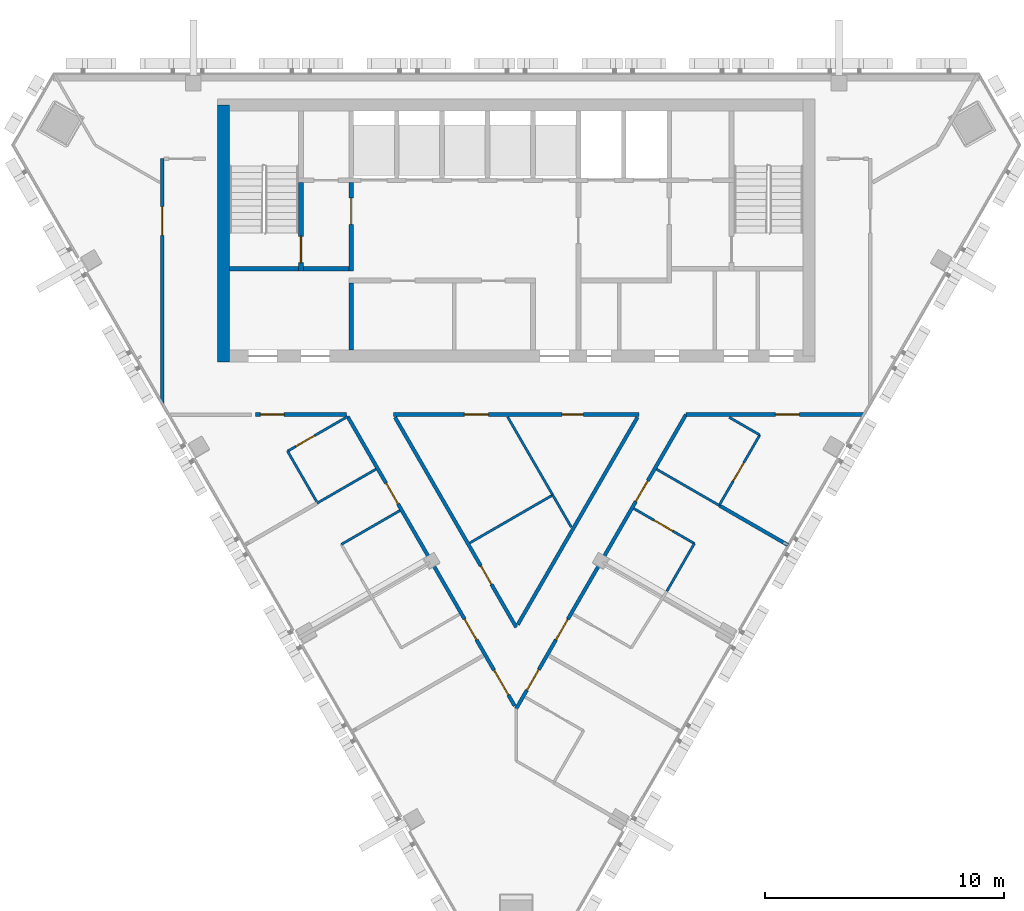
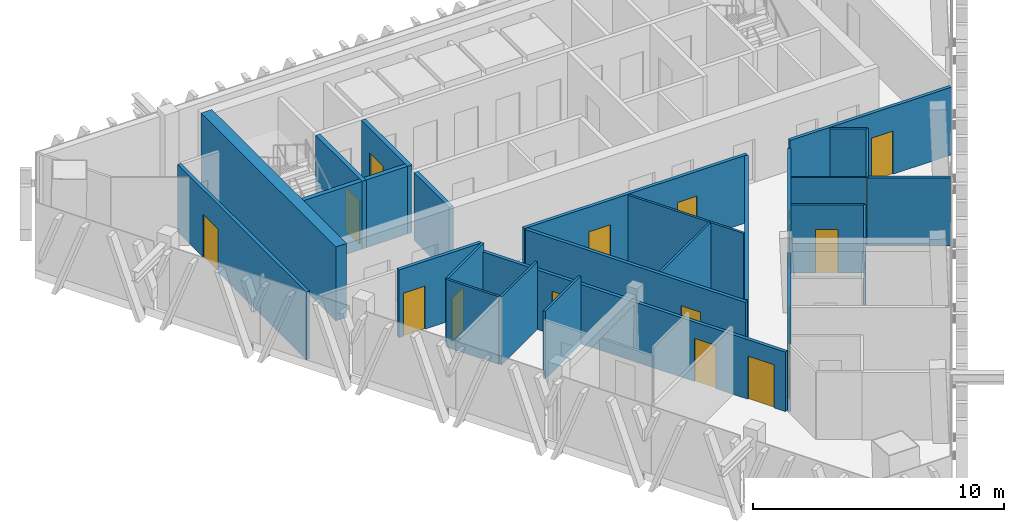
# One storey, part 6 of 12: 27 walls, 17 doors, 17 openings.
"""IFC4 building model written with IfcOpenShell, lengths in metres."""

import ifcopenshell
import ifcopenshell.guid

model = None  # the IFC model being written
_history = None  # IfcOwnerHistory: only IFC2X3 demands one
_inside = {}  # id of a spatial element -> (the spatial element, [elements in it])
_under = {}  # id of a project, library or spatial element -> (it, [spatial elements below it])
_declared = {}  # id of a project -> (the project, [libraries it declares])
_typed = {}  # id of a type object -> (the type object, [elements of that type])
_made_of = {}  # id of a material, layer set ... -> (it, [elements and type objects made of it])


def new_model(schema):
    """Start an empty IFC model of exactly this schema.

    Asked for "IFC4X3", IfcOpenShell would pick the latest addendum, in which some entities
    have other attributes; the version numbers below select the first issue.
    IFC2X3 requires an IfcOwnerHistory on every rooted entity: one is made here for all.
    """
    global model, _history
    if schema == "IFC4X3":
        model = ifcopenshell.file(schema_version=(4, 3, 0, 0))
    else:
        model = ifcopenshell.file(schema=schema)
    _inside.clear()
    _under.clear()
    _declared.clear()
    _typed.clear()
    _made_of.clear()
    _history = None
    if model.schema == "IFC2X3":
        org = make("IfcOrganization", Name="unknown")
        user = make(
            "IfcPersonAndOrganization",
            ThePerson=make("IfcPerson", FamilyName="unknown"),
            TheOrganization=org,
        )
        app = make(
            "IfcApplication",
            ApplicationDeveloper=org,
            Version="unknown",
            ApplicationFullName="unknown",
            ApplicationIdentifier="unknown",
        )
        _history = make(
            "IfcOwnerHistory",
            OwningUser=user,
            OwningApplication=app,
            ChangeAction="ADDED",
            CreationDate=0,
        )
    return model


def make(cls, **values):
    """One entity of the class cls with the attributes given. An attribute that is None is left unset."""
    return model.create_entity(
        cls, **{name: value for name, value in values.items() if value is not None}
    )


def rooted(cls, **values):
    """An entity with a GlobalId (a new one), such as an element, a storey or a relation."""
    return make(cls, GlobalId=ifcopenshell.guid.new(), OwnerHistory=_history, **values)


def si_unit(unit_type, name, prefix=None):
    """IfcSIUnit, for example si_unit("LENGTHUNIT", "METRE", prefix="MILLI")."""
    return make("IfcSIUnit", UnitType=unit_type, Prefix=prefix, Name=name)


def assignment(units):
    """IfcUnitAssignment: the units of a project."""
    return None if units is None else make("IfcUnitAssignment", Units=units)


def point(xyz):
    """IfcCartesianPoint."""
    return None if xyz is None else make("IfcCartesianPoint", Coordinates=xyz)


def direction(xyz):
    """IfcDirection."""
    return None if xyz is None else make("IfcDirection", DirectionRatios=xyz)


def frame(location, z_axis=None, x_axis=None):
    """IfcAxis2Placement3D, a coordinate frame: its origin and axes. An axis left out is left unset."""
    return make(
        "IfcAxis2Placement3D",
        Location=point(location),
        Axis=direction(z_axis),
        RefDirection=direction(x_axis),
    )


def frame_2d(location, x_axis=None):
    """IfcAxis2Placement2D, a coordinate frame in the plane: its origin and x axis."""
    return make(
        "IfcAxis2Placement2D", Location=point(location), RefDirection=direction(x_axis)
    )


def origin():
    """The frame at (0, 0, 0) with its axes left unset."""
    return frame((0.0, 0.0, 0.0))


def place(relative_to, where):
    """IfcLocalPlacement: puts the frame where relative to a parent placement (None: the world)."""
    return make(
        "IfcLocalPlacement", PlacementRelTo=relative_to, RelativePlacement=where
    )


def context(
    kind, dimensions, precision=None, world=None, true_north=None, identifier=None
):
    """IfcGeometricRepresentationContext, for example the 3D "Model" context."""
    return make(
        "IfcGeometricRepresentationContext",
        ContextIdentifier=identifier,
        ContextType=kind,
        CoordinateSpaceDimension=dimensions,
        Precision=precision,
        WorldCoordinateSystem=world,
        TrueNorth=true_north,
    )


def subcontext(parent, identifier, kind, view, scale=None):
    """IfcGeometricRepresentationSubContext, for example "Body" below "Model"."""
    return make(
        "IfcGeometricRepresentationSubContext",
        ContextIdentifier=identifier,
        ContextType=kind,
        ParentContext=parent,
        TargetScale=scale,
        TargetView=view,
    )


def project(units=None, contexts=None):
    """IfcProject with its units and contexts."""
    return rooted(
        "IfcProject",
        Name="project",
        RepresentationContexts=contexts,
        UnitsInContext=assignment(units),
    )


def spatial(cls, under=None, at=None, **own):
    """A site, building, storey or space (cls), placed at a placement, below another one or the project."""
    s = rooted(cls, ObjectPlacement=at, **own)
    if under is not None:
        _under.setdefault(under.id(), (under, []))[1].append(s)
    return s


def profile(cls, at=None, kind="AREA", **sizes):
    """A parametric profile (cls). Its sizes go by their IFC names, for example OverallWidth=200.0."""
    return make(cls, ProfileType=kind, Position=at, **sizes)


def rectangle(**sizes):
    """IfcRectangleProfileDef."""
    return profile("IfcRectangleProfileDef", **sizes)


def extrude(swept, where, along, depth):
    """IfcExtrudedAreaSolid: the profile swept, set in the frame where, extruded along a direction by depth."""
    return make(
        "IfcExtrudedAreaSolid",
        SweptArea=swept,
        Position=where,
        ExtrudedDirection=direction(along),
        Depth=depth,
    )


def shape(context_of_items, identifier, shape_type, items):
    """IfcShapeRepresentation: the items that make up one representation, for example the "Body"."""
    return make(
        "IfcShapeRepresentation",
        ContextOfItems=context_of_items,
        RepresentationIdentifier=identifier,
        RepresentationType=shape_type,
        Items=items,
    )


def material(Name=None, Category=None):
    """IfcMaterial."""
    return make("IfcMaterial", Name=Name, Category=Category)


def layer(
    of_material, thickness, ventilated=None, Name=None, Category=None, Priority=None
):
    """IfcMaterialLayer: one layer of a wall or slab, of a material (None: an air gap)."""
    return make(
        "IfcMaterialLayer",
        Material=of_material,
        LayerThickness=thickness,
        IsVentilated=ventilated,
        Name=Name,
        Category=Category,
        Priority=Priority,
    )


def layer_set(layers, Name=None):
    """IfcMaterialLayerSet."""
    return make("IfcMaterialLayerSet", MaterialLayers=layers, LayerSetName=Name)


def made_of(thing, what):
    """Note that an element or type object is made of a material, layer set ...; save() writes the relation."""
    if what is not None:
        _made_of.setdefault(what.id(), (what, []))[1].append(thing)
    return thing


def type_object(cls, material=None, **own):
    """A type object (cls), such as IfcWallType, which elements share."""
    return made_of(rooted(cls, **own), material)


def element(
    cls,
    number,
    at=None,
    inside=None,
    cuts=None,
    type_object=None,
    material=None,
    context=None,
    identifier="Body",
    shape_type=None,
    held_by="IfcProductDefinitionShape",
    body=None,
    shapes=None,
    **own,
):
    """One element of the class cls, such as IfcWall. Its Tag is "e" and its number.

    at: its placement. inside: the storey or other place that contains it. cuts: it is an
    opening in that element (IfcRelVoidsElement). A single representation is given by context,
    identifier, shape_type and body (its items); several are given by shapes. held_by: the class
    of the entity that holds the representations. save() writes the other relations.
    """
    e = rooted(cls, Tag="e%d" % number, ObjectPlacement=at, **own)
    if body is not None:
        shapes = [shape(context, identifier, shape_type, body)]
    if shapes is not None:
        e.Representation = make(held_by, Representations=shapes)
    if inside is not None:
        _inside.setdefault(inside.id(), (inside, []))[1].append(e)
    if cuts is not None:
        rooted(
            "IfcRelVoidsElement", RelatingBuildingElement=cuts, RelatedOpeningElement=e
        )
    if type_object is not None:
        _typed.setdefault(type_object.id(), (type_object, []))[1].append(e)
    return made_of(e, material)


def fill(opening, filler):
    """IfcRelFillsElement: the door or window that sits in an opening."""
    return rooted(
        "IfcRelFillsElement",
        RelatingOpeningElement=opening,
        RelatedBuildingElement=filler,
    )


def aggregate(whole, parts):
    """IfcRelAggregates: a whole, such as a stair, and the parts it consists of."""
    return rooted("IfcRelAggregates", RelatingObject=whole, RelatedObjects=parts)


def save(model, path):
    """Write the relations noted so far, then the file.

    IfcRelAggregates (storeys below a building ...), IfcRelContainedInSpatialStructure (elements
    in a storey), IfcRelDefinesByType, IfcRelAssociatesMaterial and IfcRelDeclares: one each for
    every whole, place, type object, material and project.
    """
    for whole, parts in _under.values():
        aggregate(whole, parts)
    for where, things in _inside.values():
        rooted(
            "IfcRelContainedInSpatialStructure",
            RelatedElements=things,
            RelatingStructure=where,
        )
    for kind, things in _typed.values():
        rooted("IfcRelDefinesByType", RelatedObjects=things, RelatingType=kind)
    for what, things in _made_of.values():
        rooted("IfcRelAssociatesMaterial", RelatedObjects=things, RelatingMaterial=what)
    for by, libraries in _declared.values():
        rooted("IfcRelDeclares", RelatingContext=by, RelatedDefinitions=libraries)
    model.write(path)


model = new_model("IFC4")

# Units and contexts
model_context = context("Model", 3, precision=1e-05, world=origin(), true_north=direction((0.0, 1.0)))
body_context = subcontext(model_context, "Body", "Model", "MODEL_VIEW")
ifc_project = project(units=[si_unit("LENGTHUNIT", "METRE"), si_unit("AREAUNIT", "SQUARE_METRE"), si_unit("VOLUMEUNIT", "CUBIC_METRE"), si_unit("PLANEANGLEUNIT", "RADIAN"), si_unit("MASSUNIT", "GRAM", prefix="KILO")], contexts=[model_context])

# Site, building, storey
site_placement = place(None, origin())
site = spatial("IfcSite", under=ifc_project, at=site_placement, CompositionType="ELEMENT")
building_placement = place(site_placement, origin())
building = spatial("IfcBuilding", under=site, at=building_placement, Name="Altiplano Prism Tower", CompositionType="ELEMENT")
storey_placement = place(building_placement, frame((0.0, 0.0, 331.0)))
storey = spatial("IfcBuildingStorey", under=building, at=storey_placement, Name="L86", CompositionType="ELEMENT", Elevation=331.0)

# Walls
ifc_material_1 = material(Name="Concrete C60/75", Category="concrete")
ifc_layer_1 = layer(ifc_material_1, 0.5)
ifc_layer_set_1 = layer_set([ifc_layer_1], Name="Concrete C60/75")
wall_type_1 = type_object("IfcWallType", Name="Core wall 500", PredefinedType="SHEAR", material=ifc_layer_set_1)
wall_1_placement = place(storey_placement, frame((72.75, 103.64990234375, 0.0), z_axis=(0.0, 0.0, 1.0), x_axis=(0.0, -1.0, 0.0)))
element("IfcWall", 1, at=wall_1_placement, inside=storey, type_object=wall_type_1, Name="Core wall W L86", PredefinedType="SHEAR", context=body_context, shape_type="SweptSolid", body=[
    extrude(rectangle(XDim=10.75, YDim=0.5, at=frame_2d((5.375, 0.0))), origin(), (0.0, 0.0, 1.0), 3.60009765625),
])
ifc_material_2 = material(Name="Plasterboard on steel stud", Category="steel")
ifc_layer_2 = layer(ifc_material_2, 0.10009765625)
ifc_layer_set_2 = layer_set([ifc_layer_2], Name="Plasterboard on steel stud")
wall_type_2 = type_object("IfcWallType", Name="Partition 100 unit", PredefinedType="PARTITIONING", material=ifc_layer_set_2)
wall_2_placement = place(storey_placement, frame((76.6484375, 87.064453125, 0.0), z_axis=(0.0, 0.0, 1.0), x_axis=(-0.500047793048, 0.865997808697, 0.0)))
element("IfcWall", 2, at=wall_2_placement, inside=storey, type_object=wall_type_2, Name="Partition P02 L86 018", PredefinedType="PARTITIONING", context=body_context, shape_type="SweptSolid", body=[
    extrude(rectangle(XDim=2.425048828125, YDim=0.10009765625, at=frame_2d((1.21240234375, 0.0))), origin(), (0.0, 0.0, 1.0), 3.300048828125),
])

# Wall, opening, door
wall_3_placement = place(storey_placement, frame((75.435791015625, 89.16455078125, 0.0), z_axis=(0.0, 0.0, 1.0), x_axis=(0.866032775405, 0.499987231761, 0.0)))
wall_3 = element("IfcWall", 3, at=wall_3_placement, inside=storey, type_object=wall_type_2, Name="Partition P02 L86 019", PredefinedType="PARTITIONING", context=body_context, shape_type="SweptSolid", body=[
    extrude(rectangle(XDim=2.89990234375, YDim=0.10009765625, at=frame_2d((1.449951171875, 0.0))), origin(), (0.0, 0.0, 1.0), 3.300048828125),
])
opening_1_placement = place(wall_3_placement, frame((0.39990234375, 0.0, 0.0)))
opening_1 = element("IfcOpeningElement", 4, at=opening_1_placement, cuts=wall_3, Name="Opening D2488", PredefinedType="OPENING", context=body_context, shape_type="SweptSolid", body=[
    extrude(rectangle(XDim=0.89990234375, YDim=2.10009765625, at=frame_2d((0.449951171875, 1.050048828125))), frame((0.0, 0.060546875, 0.0), z_axis=(0.0, -1.0, 0.0), x_axis=(1.0, 0.0, 0.0)), (0.0, 0.0, 1.0), 0.12109375),
])
ifc_material_3 = material(Name="Timber", Category="wood")
door_type_1 = type_object("IfcDoorType", Name="Ensuite door 900 x 2100", OperationType="NOTDEFINED", PredefinedType="NOTDEFINED", material=ifc_material_3)
door_1_placement = place(opening_1_placement, origin())
door_1 = element("IfcDoor", 5, at=door_1_placement, inside=storey, type_object=door_type_1, Name="Door D2488", OperationType="SINGLE_SWING_RIGHT", OverallHeight=2.10009765625, OverallWidth=0.89990234375, PredefinedType="NOTDEFINED", context=body_context, shape_type="SweptSolid", body=[
    extrude(rectangle(XDim=0.89990234375, YDim=2.10009765625, at=frame_2d((0.449951171875, 1.050048828125))), frame((0.0, 0.02490234375, 0.0), z_axis=(0.0, -1.0, 0.0), x_axis=(1.0, 0.0, 0.0)), (0.0, 0.0, 1.0), 0.050048828125),
])
fill(opening_1, door_1)

# Wall
wall_4_placement = place(storey_placement, frame((77.685791015625, 85.267333984375, 0.0), z_axis=(0.0, 0.0, 1.0), x_axis=(0.866011447264, 0.500024172624, 0.0)))
element("IfcWall", 6, at=wall_4_placement, inside=storey, type_object=wall_type_2, Name="Partition P02 L86 023", PredefinedType="PARTITIONING", context=body_context, shape_type="SweptSolid", body=[
    extrude(rectangle(XDim=2.824951171875, YDim=0.10009765625, at=frame_2d((1.41259765625, 0.0))), origin(), (0.0, 0.0, 1.0), 3.300048828125),
])

# Wall, opening, door
wall_5_placement = place(storey_placement, frame((89.917724609375, 86.7666015625, 0.0), z_axis=(0.0, 0.0, 1.0), x_axis=(0.865989585315, -0.500062034277, 0.0)))
wall_5 = element("IfcWall", 7, at=wall_5_placement, inside=storey, type_object=wall_type_2, Name="Partition P02 L86 038", PredefinedType="PARTITIONING", context=body_context, shape_type="SweptSolid", body=[
    extrude(rectangle(XDim=2.925048828125, YDim=0.10009765625, at=frame_2d((1.46240234375, 0.0))), origin(), (0.0, 0.0, 1.0), 3.300048828125),
])
opening_2_placement = place(wall_5_placement, frame((0.97509765625, 0.0, 0.0)))
opening_2 = element("IfcOpeningElement", 8, at=opening_2_placement, cuts=wall_5, Name="Opening D2499", PredefinedType="OPENING", context=body_context, shape_type="SweptSolid", body=[
    extrude(rectangle(XDim=0.89990234375, YDim=2.10009765625, at=frame_2d((0.449951171875, 1.050048828125))), frame((0.0, 0.060546875, 0.0), z_axis=(0.0, -1.0, 0.0), x_axis=(1.0, 0.0, 0.0)), (0.0, 0.0, 1.0), 0.12109375),
])
door_2_placement = place(opening_2_placement, origin())
door_2 = element("IfcDoor", 9, at=door_2_placement, inside=storey, type_object=door_type_1, Name="Door D2499", OperationType="SINGLE_SWING_LEFT", OverallHeight=2.10009765625, OverallWidth=0.89990234375, PredefinedType="NOTDEFINED", context=body_context, shape_type="SweptSolid", body=[
    extrude(rectangle(XDim=0.89990234375, YDim=2.10009765625, at=frame_2d((0.449951171875, 1.050048828125))), frame((0.0, 0.02490234375, 0.0), z_axis=(0.0, -1.0, 0.0), x_axis=(1.0, 0.0, 0.0)), (0.0, 0.0, 1.0), 0.050048828125),
])
fill(opening_2, door_2)

# Walls
wall_6_placement = place(storey_placement, frame((92.45068359375, 85.303955078125, 0.0), z_axis=(0.0, 0.0, 1.0), x_axis=(-0.499998129301, -0.86602648383, 0.0)))
element("IfcWall", 10, at=wall_6_placement, inside=storey, type_object=wall_type_2, Name="Partition P02 L86 039", PredefinedType="PARTITIONING", context=body_context, shape_type="SweptSolid", body=[
    extrude(rectangle(XDim=2.2998046875, YDim=0.10009765625, at=frame_2d((1.14990234375, 0.0))), origin(), (0.0, 0.0, 1.0), 3.300048828125),
])
wall_7_placement = place(storey_placement, frame((93.909423828125, 90.581787109375, 0.0), z_axis=(0.0, 0.0, 1.0), x_axis=(0.866014750462, -0.500018451642, 0.0)))
element("IfcWall", 11, at=wall_7_placement, inside=storey, type_object=wall_type_2, Name="Partition P02 L86 042", PredefinedType="PARTITIONING", context=body_context, shape_type="SweptSolid", body=[
    extrude(rectangle(XDim=1.4755859375, YDim=0.10009765625, at=frame_2d((0.73779296875, 0.0))), origin(), (0.0, 0.0, 1.0), 3.300048828125),
])

# Wall, opening, door
wall_8_placement = place(storey_placement, frame((95.187255859375, 89.843994140625, 0.0), z_axis=(0.0, 0.0, 1.0), x_axis=(-0.499977295307, -0.866038511948, 0.0)))
wall_8 = element("IfcWall", 12, at=wall_8_placement, inside=storey, type_object=wall_type_2, Name="Partition P02 L86 043", PredefinedType="PARTITIONING", context=body_context, shape_type="SweptSolid", body=[
    extrude(rectangle(XDim=3.400146484375, YDim=0.10009765625, at=frame_2d((1.7001953125, 0.0))), origin(), (0.0, 0.0, 1.0), 3.300048828125),
])
opening_3_placement = place(wall_8_placement, frame((1.330078125, 0.0, 0.0)))
opening_3 = element("IfcOpeningElement", 13, at=opening_3_placement, cuts=wall_8, Name="Opening D2501", PredefinedType="OPENING", context=body_context, shape_type="SweptSolid", body=[
    extrude(rectangle(XDim=0.89990234375, YDim=2.10009765625, at=frame_2d((0.449951171875, 1.050048828125))), frame((0.0, 0.060546875, 0.0), z_axis=(0.0, -1.0, 0.0), x_axis=(1.0, 0.0, 0.0)), (0.0, 0.0, 1.0), 0.12109375),
])
door_3_placement = place(opening_3_placement, origin())
door_3 = element("IfcDoor", 14, at=door_3_placement, inside=storey, type_object=door_type_1, Name="Door D2501", OperationType="SINGLE_SWING_RIGHT", OverallHeight=2.10009765625, OverallWidth=0.89990234375, PredefinedType="NOTDEFINED", context=body_context, shape_type="SweptSolid", body=[
    extrude(rectangle(XDim=0.89990234375, YDim=2.10009765625, at=frame_2d((0.449951171875, 1.050048828125))), frame((0.0, 0.02490234375, 0.0), z_axis=(0.0, -1.0, 0.0), x_axis=(1.0, 0.0, 0.0)), (0.0, 0.0, 1.0), 0.050048828125),
])
fill(opening_3, door_3)

# Walls
ifc_layer_3 = layer(ifc_material_2, 0.10009765625)
ifc_layer_set_3 = layer_set([ifc_layer_3], Name="Plasterboard on steel stud")
wall_type_3 = type_object("IfcWallType", Name="Partition 100 wet", PredefinedType="PARTITIONING", material=ifc_layer_set_3)
wall_9_placement = place(storey_placement, frame((87.30224609375, 85.988525390625, 0.0), z_axis=(0.0, 0.0, 1.0), x_axis=(-0.499933207989, 0.866063962736, 0.0)))
element("IfcWall", 15, at=wall_9_placement, inside=storey, type_object=wall_type_3, Name="Partition P03 L86 013", PredefinedType="PARTITIONING", context=body_context, shape_type="SweptSolid", body=[
    extrude(rectangle(XDim=1.571044921875, YDim=0.10009765625, at=frame_2d((0.78564453125, 0.0))), origin(), (0.0, 0.0, 1.0), 3.300048828125),
])
wall_10_placement = place(storey_placement, frame((86.52685546875, 87.331787109375, 0.0), z_axis=(0.0, 0.0, 1.0), x_axis=(-0.866025502096, -0.499999829719, 0.0)))
element("IfcWall", 16, at=wall_10_placement, inside=storey, type_object=wall_type_3, Name="Partition P03 L86 014", PredefinedType="PARTITIONING", context=body_context, shape_type="SweptSolid", body=[
    extrude(rectangle(XDim=4.0126953125, YDim=0.10009765625, at=frame_2d((2.00634765625, 0.0))), origin(), (0.0, 0.0, 1.0), 3.300048828125),
])
wall_11_placement = place(storey_placement, frame((84.640380859375, 90.59912109375, 0.0), z_axis=(0.0, 0.0, 1.0), x_axis=(0.500015595758, -0.866016399382, 0.0)))
element("IfcWall", 17, at=wall_11_placement, inside=storey, type_object=wall_type_3, Name="Partition P03 L86 015", PredefinedType="PARTITIONING", context=body_context, shape_type="SweptSolid", body=[
    extrude(rectangle(XDim=3.77294921875, YDim=0.10009765625, at=frame_2d((1.886474609375, 0.0))), origin(), (0.0, 0.0, 1.0), 3.300048828125),
])
wall_12_placement = place(storey_placement, frame((76.66845703125, 86.989501953125, 0.0), z_axis=(0.0, 0.0, 1.0), x_axis=(0.866048401274, 0.499960165064, 0.0)))
element("IfcWall", 18, at=wall_12_placement, inside=storey, type_object=wall_type_3, Name="Partition P03 L86 021", PredefinedType="PARTITIONING", context=body_context, shape_type="SweptSolid", body=[
    extrude(rectangle(XDim=2.844970703125, YDim=0.10009765625, at=frame_2d((1.42236328125, 0.0))), origin(), (0.0, 0.0, 1.0), 3.300048828125),
])
wall_13_placement = place(storey_placement, frame((93.4873046875, 86.8994140625, 0.0), z_axis=(0.0, 0.0, 1.0), x_axis=(-0.866024298998, 0.500001913541, 0.0)))
element("IfcWall", 19, at=wall_13_placement, inside=storey, type_object=wall_type_3, Name="Partition P03 L86 041", PredefinedType="PARTITIONING", context=body_context, shape_type="SweptSolid", body=[
    extrude(rectangle(XDim=3.02490234375, YDim=0.10009765625, at=frame_2d((1.512451171875, 0.0))), origin(), (0.0, 0.0, 1.0), 3.300048828125),
])

# Wall, openings, doors
ifc_layer_4 = layer(ifc_material_2, 0.14990234375)
ifc_layer_set_4 = layer_set([ifc_layer_4], Name="Plasterboard on steel stud")
wall_type_4 = type_object("IfcWallType", Name="Partition 150 corridor", PredefinedType="PARTITIONING", material=ifc_layer_set_4)
wall_14_placement = place(storey_placement, frame((79.86279296875, 90.698974609375, 0.0), z_axis=(0.0, 0.0, 1.0), x_axis=(1.0, 0.0, 0.0)))
wall_14 = element("IfcWall", 20, at=wall_14_placement, inside=storey, type_object=wall_type_4, Name="Partition P06 L86 001", PredefinedType="PARTITIONING", context=body_context, shape_type="SweptSolid", body=[
    extrude(rectangle(XDim=10.2744140625, YDim=0.14990234375, at=frame_2d((5.13720703125, 0.0))), origin(), (0.0, 0.0, 1.0), 3.300048828125),
])
opening_4_placement = place(wall_14_placement, frame((7.047119140625, 0.0, 0.0)))
opening_4 = element("IfcOpeningElement", 21, at=opening_4_placement, cuts=wall_14, Name="Opening D2484", PredefinedType="OPENING", context=body_context, shape_type="SweptSolid", body=[
    extrude(rectangle(XDim=0.89990234375, YDim=2.10009765625, at=frame_2d((0.449951171875, 1.050048828125))), frame((0.0, 0.08544921875, 0.0), z_axis=(0.0, -1.0, 0.0), x_axis=(1.0, 0.0, 0.0)), (0.0, 0.0, 1.0), 0.1708984375),
])
opening_5_placement = place(wall_14_placement, frame((2.967041015625, 0.0, 0.0)))
opening_5 = element("IfcOpeningElement", 22, at=opening_5_placement, cuts=wall_14, Name="Opening D2485", PredefinedType="OPENING", context=body_context, shape_type="SweptSolid", body=[
    extrude(rectangle(XDim=1.0, YDim=2.10009765625, at=frame_2d((0.5, 1.050048828125))), frame((0.0, 0.08544921875, 0.0), z_axis=(0.0, -1.0, 0.0), x_axis=(1.0, 0.0, 0.0)), (0.0, 0.0, 1.0), 0.1708984375),
])
door_type_2 = type_object("IfcDoorType", Name="Store door 1000 x 2100", OperationType="NOTDEFINED", PredefinedType="NOTDEFINED", material=ifc_material_3)
door_4_placement = place(opening_5_placement, origin())
door_4 = element("IfcDoor", 23, at=door_4_placement, inside=storey, type_object=door_type_2, Name="Door D2485", OperationType="SINGLE_SWING_RIGHT", OverallHeight=2.10009765625, OverallWidth=1.0, PredefinedType="NOTDEFINED", context=body_context, shape_type="SweptSolid", body=[
    extrude(rectangle(XDim=1.0, YDim=2.10009765625, at=frame_2d((0.5, 1.050048828125))), frame((0.0, 0.02490234375, 0.0), z_axis=(0.0, -1.0, 0.0), x_axis=(1.0, 0.0, 0.0)), (0.0, 0.0, 1.0), 0.050048828125),
])
fill(opening_5, door_4)
door_type_3 = type_object("IfcDoorType", Name="Toilet door 900 x 2100", OperationType="NOTDEFINED", PredefinedType="NOTDEFINED", material=ifc_material_3)
door_5_placement = place(opening_4_placement, origin())
door_5 = element("IfcDoor", 24, at=door_5_placement, inside=storey, type_object=door_type_3, Name="Door D2484", OperationType="SINGLE_SWING_LEFT", OverallHeight=2.10009765625, OverallWidth=0.89990234375, PredefinedType="NOTDEFINED", context=body_context, shape_type="SweptSolid", body=[
    extrude(rectangle(XDim=0.89990234375, YDim=2.10009765625, at=frame_2d((0.449951171875, 1.050048828125))), frame((0.0, 0.02490234375, 0.0), z_axis=(0.0, -1.0, 0.0), x_axis=(1.0, 0.0, 0.0)), (0.0, 0.0, 1.0), 0.050048828125),
])
fill(opening_4, door_5)

# Wall
wall_15_placement = place(storey_placement, frame((90.072265625, 90.58642578125, 0.0), z_axis=(0.0, 0.0, 1.0), x_axis=(-0.499993265928, -0.866029291668, 0.0)))
element("IfcWall", 25, at=wall_15_placement, inside=storey, type_object=wall_type_4, Name="Partition P06 L86 002", PredefinedType="PARTITIONING", context=body_context, shape_type="SweptSolid", body=[
    extrude(rectangle(XDim=10.014892578125, YDim=0.14990234375, at=frame_2d((5.00732421875, 0.0))), origin(), (0.0, 0.0, 1.0), 3.300048828125),
])

# Wall, opening, door
wall_16_placement = place(storey_placement, frame((85.0, 81.80078125, 0.0), z_axis=(0.0, 0.0, 1.0), x_axis=(-0.499990491817, 0.866030893267, 0.0)))
wall_16 = element("IfcWall", 26, at=wall_16_placement, inside=storey, type_object=wall_type_4, Name="Partition P06 L86 003", PredefinedType="PARTITIONING", context=body_context, shape_type="SweptSolid", body=[
    extrude(rectangle(XDim=10.144775390625, YDim=0.14990234375, at=frame_2d((5.072265625, 0.0))), origin(), (0.0, 0.0, 1.0), 3.300048828125),
])
opening_6_placement = place(wall_16_placement, frame((2.072021484375, 0.0, 0.0)))
opening_6 = element("IfcOpeningElement", 27, at=opening_6_placement, cuts=wall_16, Name="Opening D2483", PredefinedType="OPENING", context=body_context, shape_type="SweptSolid", body=[
    extrude(rectangle(XDim=0.89990234375, YDim=2.10009765625, at=frame_2d((0.449951171875, 1.050048828125))), frame((0.0, 0.08544921875, 0.0), z_axis=(0.0, -1.0, 0.0), x_axis=(1.0, 0.0, 0.0)), (0.0, 0.0, 1.0), 0.1708984375),
])
door_6_placement = place(opening_6_placement, origin())
door_6 = element("IfcDoor", 28, at=door_6_placement, inside=storey, type_object=door_type_3, Name="Door D2483", OperationType="SINGLE_SWING_LEFT", OverallHeight=2.10009765625, OverallWidth=0.89990234375, PredefinedType="NOTDEFINED", context=body_context, shape_type="SweptSolid", body=[
    extrude(rectangle(XDim=0.89990234375, YDim=2.10009765625, at=frame_2d((0.449951171875, 1.050048828125))), frame((0.0, 0.02490234375, 0.0), z_axis=(0.0, -1.0, 0.0), x_axis=(1.0, 0.0, 0.0)), (0.0, 0.0, 1.0), 0.050048828125),
])
fill(opening_6, door_6)

wall_17_placement = place(storey_placement, frame((70.199462890625, 101.40087890625, 0.0), z_axis=(0.0, 0.0, 1.0), x_axis=(4.7648544e-05, -0.999999998865, 0.0)))
wall_17 = element("IfcWall", 29, at=wall_17_placement, inside=storey, type_object=wall_type_4, Name="Partition P06 L86 004", PredefinedType="PARTITIONING", context=body_context, shape_type="SweptSolid", body=[
    extrude(rectangle(XDim=10.24755859375, YDim=0.14990234375, at=frame_2d((5.123779296875, 0.0))), origin(), (0.0, 0.0, 1.0), 3.300048828125),
])
opening_7_placement = place(wall_17_placement, frame((2.008056640625, 0.0, 0.0)))
opening_7 = element("IfcOpeningElement", 30, at=opening_7_placement, cuts=wall_17, Name="Opening D2486", PredefinedType="OPENING", context=body_context, shape_type="SweptSolid", body=[
    extrude(rectangle(XDim=1.199951171875, YDim=2.10009765625, at=frame_2d((0.60009765625, 1.050048828125))), frame((0.0, 0.08544921875, 0.0), z_axis=(0.0, -1.0, 0.0), x_axis=(1.0, 0.0, 0.0)), (0.0, 0.0, 1.0), 0.1708984375),
])
door_type_4 = type_object("IfcDoorType", Name="Shared room door 1200 x 2100", OperationType="NOTDEFINED", PredefinedType="NOTDEFINED", material=ifc_material_3)
door_7_placement = place(opening_7_placement, origin())
door_7 = element("IfcDoor", 31, at=door_7_placement, inside=storey, type_object=door_type_4, Name="Door D2486", OperationType="SINGLE_SWING_RIGHT", OverallHeight=2.10009765625, OverallWidth=1.199951171875, PredefinedType="NOTDEFINED", context=body_context, shape_type="SweptSolid", body=[
    extrude(rectangle(XDim=1.199951171875, YDim=2.10009765625, at=frame_2d((0.60009765625, 1.050048828125))), frame((0.0, 0.02490234375, 0.0), z_axis=(0.0, -1.0, 0.0), x_axis=(1.0, 0.0, 0.0)), (0.0, 0.0, 1.0), 0.050048828125),
])
fill(opening_7, door_7)

wall_18_placement = place(storey_placement, frame((74.095458984375, 90.699951171875, 0.0), z_axis=(0.0, 0.0, 1.0), x_axis=(1.0, 0.0, 0.0)))
wall_18 = element("IfcWall", 32, at=wall_18_placement, inside=storey, type_object=wall_type_4, Name="Partition P06 L86 006", PredefinedType="PARTITIONING", context=body_context, shape_type="SweptSolid", body=[
    extrude(rectangle(XDim=3.802490234375, YDim=0.14990234375, at=frame_2d((1.9013671875, 0.0))), origin(), (0.0, 0.0, 1.0), 3.300048828125),
])
opening_8_placement = place(wall_18_placement, frame((0.199951171875, 0.0, 0.0)))
opening_8 = element("IfcOpeningElement", 33, at=opening_8_placement, cuts=wall_18, Name="Opening D2487", PredefinedType="OPENING", context=body_context, shape_type="SweptSolid", body=[
    extrude(rectangle(XDim=1.0, YDim=2.10009765625, at=frame_2d((0.5, 1.050048828125))), frame((0.0, 0.08544921875, 0.0), z_axis=(0.0, -1.0, 0.0), x_axis=(1.0, 0.0, 0.0)), (0.0, 0.0, 1.0), 0.1708984375),
])
door_type_5 = type_object("IfcDoorType", Name="Bedroom entrance door 1000 x 2100", OperationType="NOTDEFINED", PredefinedType="NOTDEFINED", material=ifc_material_3)
door_8_placement = place(opening_8_placement, origin())
door_8 = element("IfcDoor", 34, at=door_8_placement, inside=storey, type_object=door_type_5, Name="Door D2487", OperationType="SINGLE_SWING_LEFT", OverallHeight=2.10009765625, OverallWidth=1.0, PredefinedType="NOTDEFINED", context=body_context, shape_type="SweptSolid", body=[
    extrude(rectangle(XDim=1.0, YDim=2.10009765625, at=frame_2d((0.5, 1.050048828125))), frame((0.0, 0.02490234375, 0.0), z_axis=(0.0, -1.0, 0.0), x_axis=(1.0, 0.0, 0.0)), (0.0, 0.0, 1.0), 0.050048828125),
])
fill(opening_8, door_8)

# Wall, openings, doors
wall_19_placement = place(storey_placement, frame((77.947265625, 90.614501953125, 0.0), z_axis=(0.0, 0.0, 1.0), x_axis=(0.50000573544, -0.866022092401, 0.0)))
wall_19 = element("IfcWall", 35, at=wall_19_placement, inside=storey, type_object=wall_type_4, Name="Partition P06 L86 007", PredefinedType="PARTITIONING", context=body_context, shape_type="SweptSolid", body=[
    extrude(rectangle(XDim=13.975341796875, YDim=0.14990234375, at=frame_2d((6.98779296875, 0.0))), origin(), (0.0, 0.0, 1.0), 2.89990234375),
])
opening_9_placement = place(wall_19_placement, frame((3.219970703125, 0.0, 0.0)))
opening_9 = element("IfcOpeningElement", 36, at=opening_9_placement, cuts=wall_19, Name="Opening D2489", PredefinedType="OPENING", context=body_context, shape_type="SweptSolid", body=[
    extrude(rectangle(XDim=1.0, YDim=2.10009765625, at=frame_2d((0.5, 1.050048828125))), frame((0.0, 0.08544921875, 0.0), z_axis=(0.0, -1.0, 0.0), x_axis=(1.0, 0.0, 0.0)), (0.0, 0.0, 1.0), 0.1708984375),
])
opening_10_placement = place(wall_19_placement, frame((9.780029296875, 0.0, 0.0)))
opening_10 = element("IfcOpeningElement", 37, at=opening_10_placement, cuts=wall_19, Name="Opening D2491", PredefinedType="OPENING", context=body_context, shape_type="SweptSolid", body=[
    extrude(rectangle(XDim=1.0, YDim=2.10009765625, at=frame_2d((0.5, 1.050048828125))), frame((0.0, 0.08544921875, 0.0), z_axis=(0.0, -1.0, 0.0), x_axis=(1.0, 0.0, 0.0)), (0.0, 0.0, 1.0), 0.1708984375),
])
opening_11_placement = place(wall_19_placement, frame((12.2509765625, 0.0, 0.0)))
opening_11 = element("IfcOpeningElement", 38, at=opening_11_placement, cuts=wall_19, Name="Opening D2493", PredefinedType="OPENING", context=body_context, shape_type="SweptSolid", body=[
    extrude(rectangle(XDim=1.199951171875, YDim=2.10009765625, at=frame_2d((0.60009765625, 1.050048828125))), frame((0.0, 0.08544921875, 0.0), z_axis=(0.0, -1.0, 0.0), x_axis=(1.0, 0.0, 0.0)), (0.0, 0.0, 1.0), 0.1708984375),
])
door_9_placement = place(opening_9_placement, origin())
door_9 = element("IfcDoor", 39, at=door_9_placement, inside=storey, type_object=door_type_5, Name="Door D2489", OperationType="SINGLE_SWING_RIGHT", OverallHeight=2.10009765625, OverallWidth=1.0, PredefinedType="NOTDEFINED", context=body_context, shape_type="SweptSolid", body=[
    extrude(rectangle(XDim=1.0, YDim=2.10009765625, at=frame_2d((0.5, 1.050048828125))), frame((0.0, 0.02490234375, 0.0), z_axis=(0.0, -1.0, 0.0), x_axis=(1.0, 0.0, 0.0)), (0.0, 0.0, 1.0), 0.050048828125),
])
fill(opening_9, door_9)
door_10_placement = place(opening_10_placement, origin())
door_10 = element("IfcDoor", 40, at=door_10_placement, inside=storey, type_object=door_type_5, Name="Door D2491", OperationType="SINGLE_SWING_RIGHT", OverallHeight=2.10009765625, OverallWidth=1.0, PredefinedType="NOTDEFINED", context=body_context, shape_type="SweptSolid", body=[
    extrude(rectangle(XDim=1.0, YDim=2.10009765625, at=frame_2d((0.5, 1.050048828125))), frame((0.0, 0.02490234375, 0.0), z_axis=(0.0, -1.0, 0.0), x_axis=(1.0, 0.0, 0.0)), (0.0, 0.0, 1.0), 0.050048828125),
])
fill(opening_10, door_10)
door_11_placement = place(opening_11_placement, origin())
door_11 = element("IfcDoor", 41, at=door_11_placement, inside=storey, type_object=door_type_4, Name="Door D2493", OperationType="SINGLE_SWING_RIGHT", OverallHeight=2.10009765625, OverallWidth=1.199951171875, PredefinedType="NOTDEFINED", context=body_context, shape_type="SweptSolid", body=[
    extrude(rectangle(XDim=1.199951171875, YDim=2.10009765625, at=frame_2d((0.60009765625, 1.050048828125))), frame((0.0, 0.02490234375, 0.0), z_axis=(0.0, -1.0, 0.0), x_axis=(1.0, 0.0, 0.0)), (0.0, 0.0, 1.0), 0.050048828125),
])
fill(opening_11, door_11)

wall_20_placement = place(storey_placement, frame((85.0, 78.39892578125, 0.0), z_axis=(0.0, 0.0, 1.0), x_axis=(0.500002664418, 0.866023865476, 0.0)))
wall_20 = element("IfcWall", 42, at=wall_20_placement, inside=storey, type_object=wall_type_4, Name="Partition P06 L86 008", PredefinedType="PARTITIONING", context=body_context, shape_type="SweptSolid", body=[
    extrude(rectangle(XDim=14.2041015625, YDim=0.14990234375, at=frame_2d((7.10205078125, 0.0))), origin(), (0.0, 0.0, 1.0), 2.89990234375),
])
opening_12_placement = place(wall_20_placement, frame((0.885009765625, 0.0, 0.0)))
opening_12 = element("IfcOpeningElement", 43, at=opening_12_placement, cuts=wall_20, Name="Opening D2494", PredefinedType="OPENING", context=body_context, shape_type="SweptSolid", body=[
    extrude(rectangle(XDim=1.0, YDim=2.10009765625, at=frame_2d((0.5, 1.050048828125))), frame((0.0, 0.08544921875, 0.0), z_axis=(0.0, -1.0, 0.0), x_axis=(1.0, 0.0, 0.0)), (0.0, 0.0, 1.0), 0.1708984375),
])
opening_13_placement = place(wall_20_placement, frame((3.325927734375, 0.0, 0.0)))
opening_13 = element("IfcOpeningElement", 44, at=opening_13_placement, cuts=wall_20, Name="Opening D2496", PredefinedType="OPENING", context=body_context, shape_type="SweptSolid", body=[
    extrude(rectangle(XDim=1.0, YDim=2.10009765625, at=frame_2d((0.5, 1.050048828125))), frame((0.0, 0.08544921875, 0.0), z_axis=(0.0, -1.0, 0.0), x_axis=(1.0, 0.0, 0.0)), (0.0, 0.0, 1.0), 0.1708984375),
])
opening_14_placement = place(wall_20_placement, frame((10.0009765625, 0.0, 0.0)))
opening_14 = element("IfcOpeningElement", 45, at=opening_14_placement, cuts=wall_20, Name="Opening D2498", PredefinedType="OPENING", context=body_context, shape_type="SweptSolid", body=[
    extrude(rectangle(XDim=1.0, YDim=2.10009765625, at=frame_2d((0.5, 1.050048828125))), frame((0.0, 0.08544921875, 0.0), z_axis=(0.0, -1.0, 0.0), x_axis=(1.0, 0.0, 0.0)), (0.0, 0.0, 1.0), 0.1708984375),
])
door_12_placement = place(opening_12_placement, origin())
door_12 = element("IfcDoor", 46, at=door_12_placement, inside=storey, type_object=door_type_5, Name="Door D2494", OperationType="SINGLE_SWING_RIGHT", OverallHeight=2.10009765625, OverallWidth=1.0, PredefinedType="NOTDEFINED", context=body_context, shape_type="SweptSolid", body=[
    extrude(rectangle(XDim=1.0, YDim=2.10009765625, at=frame_2d((0.5, 1.050048828125))), frame((0.0, 0.02490234375, 0.0), z_axis=(0.0, -1.0, 0.0), x_axis=(1.0, 0.0, 0.0)), (0.0, 0.0, 1.0), 0.050048828125),
])
fill(opening_12, door_12)
door_13_placement = place(opening_13_placement, origin())
door_13 = element("IfcDoor", 47, at=door_13_placement, inside=storey, type_object=door_type_5, Name="Door D2496", OperationType="SINGLE_SWING_RIGHT", OverallHeight=2.10009765625, OverallWidth=1.0, PredefinedType="NOTDEFINED", context=body_context, shape_type="SweptSolid", body=[
    extrude(rectangle(XDim=1.0, YDim=2.10009765625, at=frame_2d((0.5, 1.050048828125))), frame((0.0, 0.02490234375, 0.0), z_axis=(0.0, -1.0, 0.0), x_axis=(1.0, 0.0, 0.0)), (0.0, 0.0, 1.0), 0.050048828125),
])
fill(opening_13, door_13)
door_14_placement = place(opening_14_placement, origin())
door_14 = element("IfcDoor", 48, at=door_14_placement, inside=storey, type_object=door_type_5, Name="Door D2498", OperationType="SINGLE_SWING_RIGHT", OverallHeight=2.10009765625, OverallWidth=1.0, PredefinedType="NOTDEFINED", context=body_context, shape_type="SweptSolid", body=[
    extrude(rectangle(XDim=1.0, YDim=2.10009765625, at=frame_2d((0.5, 1.050048828125))), frame((0.0, 0.02490234375, 0.0), z_axis=(0.0, -1.0, 0.0), x_axis=(1.0, 0.0, 0.0)), (0.0, 0.0, 1.0), 0.050048828125),
])
fill(opening_14, door_14)

# Wall, opening, door
wall_21_placement = place(storey_placement, frame((92.10205078125, 90.699951171875, 0.0), z_axis=(0.0, 0.0, 1.0), x_axis=(1.0, 0.0, 0.0)))
wall_21 = element("IfcWall", 49, at=wall_21_placement, inside=storey, type_object=wall_type_4, Name="Partition P06 L86 009", PredefinedType="PARTITIONING", context=body_context, shape_type="SweptSolid", body=[
    extrude(rectangle(XDim=7.41943359375, YDim=0.14990234375, at=frame_2d((3.709716796875, 0.0))), origin(), (0.0, 0.0, 1.0), 3.300048828125),
])
opening_15_placement = place(wall_21_placement, frame((3.736083984375, 0.0, 0.0)))
opening_15 = element("IfcOpeningElement", 50, at=opening_15_placement, cuts=wall_21, Name="Opening D2500", PredefinedType="OPENING", context=body_context, shape_type="SweptSolid", body=[
    extrude(rectangle(XDim=1.0, YDim=2.10009765625, at=frame_2d((0.5, 1.050048828125))), frame((0.0, 0.08544921875, 0.0), z_axis=(0.0, -1.0, 0.0), x_axis=(1.0, 0.0, 0.0)), (0.0, 0.0, 1.0), 0.1708984375),
])
door_15_placement = place(opening_15_placement, origin())
door_15 = element("IfcDoor", 51, at=door_15_placement, inside=storey, type_object=door_type_5, Name="Door D2500", OperationType="SINGLE_SWING_RIGHT", OverallHeight=2.10009765625, OverallWidth=1.0, PredefinedType="NOTDEFINED", context=body_context, shape_type="SweptSolid", body=[
    extrude(rectangle(XDim=1.0, YDim=2.10009765625, at=frame_2d((0.5, 1.050048828125))), frame((0.0, 0.02490234375, 0.0), z_axis=(0.0, -1.0, 0.0), x_axis=(1.0, 0.0, 0.0)), (0.0, 0.0, 1.0), 0.050048828125),
])
fill(opening_15, door_15)

# Walls
ifc_layer_5 = layer(ifc_material_2, 0.14990234375)
ifc_layer_set_5 = layer_set([ifc_layer_5], Name="Plasterboard on steel stud")
wall_type_5 = type_object("IfcWallType", Name="Partition 150 party", PredefinedType="PARTITIONING", material=ifc_layer_set_5)
wall_22_placement = place(storey_placement, frame((96.36279296875, 85.2392578125, 0.0), z_axis=(0.0, 0.0, 1.0), x_axis=(-0.866026405774, 0.499998264499, 0.0)))
element("IfcWall", 52, at=wall_22_placement, inside=storey, type_object=wall_type_5, Name="Partition P01 L86 040", PredefinedType="PARTITIONING", context=body_context, shape_type="SweptSolid", body=[
    extrude(rectangle(XDim=3.3203125, YDim=0.14990234375, at=frame_2d((1.66015625, 0.0))), origin(), (0.0, 0.0, 1.0), 3.300048828125),
])
ifc_layer_6 = layer(ifc_material_1, 0.199951171875)
ifc_layer_set_6 = layer_set([ifc_layer_6], Name="Concrete C60/75")
wall_type_6 = type_object("IfcWallType", Name="Stair wall 200", PredefinedType="SOLIDWALL", material=ifc_layer_set_6)
wall_23_placement = place(storey_placement, frame((73.0, 96.800048828125, 0.0), z_axis=(0.0, 0.0, 1.0), x_axis=(1.0, 0.0, 0.0)))
element("IfcWall", 53, at=wall_23_placement, inside=storey, type_object=wall_type_6, Name="Stair wall L86", PredefinedType="SOLIDWALL", context=body_context, shape_type="SweptSolid", body=[
    extrude(rectangle(XDim=2.89990234375, YDim=0.199951171875, at=frame_2d((1.449951171875, 0.0))), origin(), (0.0, 0.0, 1.0), 3.300048828125),
])

# Wall, opening, door
wall_24_placement = place(storey_placement, frame((76.0, 96.699951171875, 0.0), z_axis=(0.0, 0.0, 1.0), x_axis=(0.0, 1.0, 0.0)))
wall_24 = element("IfcWall", 54, at=wall_24_placement, inside=storey, type_object=wall_type_6, Name="Stair wall L86", PredefinedType="SOLIDWALL", context=body_context, shape_type="SweptSolid", body=[
    extrude(rectangle(XDim=3.699951171875, YDim=0.199951171875, at=frame_2d((1.85009765625, 0.0))), origin(), (0.0, 0.0, 1.0), 3.300048828125),
])
opening_16_placement = place(wall_24_placement, frame((0.35009765625, 0.0, 0.0)))
opening_16 = element("IfcOpeningElement", 55, at=opening_16_placement, cuts=wall_24, Name="Opening D3800", PredefinedType="OPENING", context=body_context, shape_type="SweptSolid", body=[
    extrude(rectangle(XDim=1.10009765625, YDim=2.10009765625, at=frame_2d((0.550048828125, 1.050048828125))), frame((0.0, 0.1103515625, 0.0), z_axis=(0.0, -1.0, 0.0), x_axis=(1.0, 0.0, 0.0)), (0.0, 0.0, 1.0), 0.220947265625),
])
ifc_material_4 = material(Name="Fire-rated steel door", Category="steel")
door_type_6 = type_object("IfcDoorType", Name="Stair fire door 1100 x 2100", OperationType="NOTDEFINED", PredefinedType="NOTDEFINED", material=ifc_material_4)
door_16_placement = place(opening_16_placement, origin())
door_16 = element("IfcDoor", 56, at=door_16_placement, inside=storey, type_object=door_type_6, Name="Stair fire door D3800", OperationType="SINGLE_SWING_RIGHT", OverallHeight=2.10009765625, OverallWidth=1.10009765625, PredefinedType="NOTDEFINED", context=body_context, shape_type="SweptSolid", body=[
    extrude(rectangle(XDim=1.10009765625, YDim=2.10009765625, at=frame_2d((0.550048828125, 1.050048828125))), frame((0.0, 0.02490234375, 0.0), z_axis=(0.0, -1.0, 0.0), x_axis=(1.0, 0.0, 0.0)), (0.0, 0.0, 1.0), 0.050048828125),
])
fill(opening_16, door_16)

# Walls
ifc_layer_7 = layer(ifc_material_1, 0.199951171875)
ifc_layer_set_7 = layer_set([ifc_layer_7], Name="Concrete C60/75")
wall_type_7 = type_object("IfcWallType", Name="Vestibule wall 200", PredefinedType="PARTITIONING", material=ifc_layer_set_7)
wall_25_placement = place(storey_placement, frame((78.10009765625, 93.39990234375, 0.0), z_axis=(0.0, 0.0, 1.0), x_axis=(0.0, 1.0, 0.0)))
element("IfcWall", 57, at=wall_25_placement, inside=storey, type_object=wall_type_7, Name="Vestibule wall L86", PredefinedType="PARTITIONING", context=body_context, shape_type="SweptSolid", body=[
    extrude(rectangle(XDim=2.800048828125, YDim=0.199951171875, at=frame_2d((1.39990234375, 0.0))), origin(), (0.0, 0.0, 1.0), 3.300048828125),
])
wall_26_placement = place(storey_placement, frame((76.10009765625, 96.800048828125, 0.0), z_axis=(0.0, 0.0, 1.0), x_axis=(1.0, 0.0, 0.0)))
element("IfcWall", 58, at=wall_26_placement, inside=storey, type_object=wall_type_7, Name="Vestibule wall L86", PredefinedType="PARTITIONING", context=body_context, shape_type="SweptSolid", body=[
    extrude(rectangle(XDim=1.89990234375, YDim=0.199951171875, at=frame_2d((0.949951171875, 0.0))), origin(), (0.0, 0.0, 1.0), 3.300048828125),
])

# Wall, opening, door
wall_27_placement = place(storey_placement, frame((78.10009765625, 96.699951171875, 0.0), z_axis=(0.0, 0.0, 1.0), x_axis=(0.0, 1.0, 0.0)))
wall_27 = element("IfcWall", 59, at=wall_27_placement, inside=storey, type_object=wall_type_7, Name="Vestibule wall L86", PredefinedType="PARTITIONING", context=body_context, shape_type="SweptSolid", body=[
    extrude(rectangle(XDim=3.699951171875, YDim=0.199951171875, at=frame_2d((1.85009765625, 0.0))), origin(), (0.0, 0.0, 1.0), 3.300048828125),
])
opening_17_placement = place(wall_27_placement, frame((1.949951171875, 0.0, 0.0)))
opening_17 = element("IfcOpeningElement", 60, at=opening_17_placement, cuts=wall_27, Name="Opening D3802", PredefinedType="OPENING", context=body_context, shape_type="SweptSolid", body=[
    extrude(rectangle(XDim=1.10009765625, YDim=2.10009765625, at=frame_2d((0.550048828125, 1.050048828125))), frame((0.0, 0.1103515625, 0.0), z_axis=(0.0, -1.0, 0.0), x_axis=(1.0, 0.0, 0.0)), (0.0, 0.0, 1.0), 0.220947265625),
])
door_type_7 = type_object("IfcDoorType", Name="Vestibule fire door 1100 x 2100", OperationType="NOTDEFINED", PredefinedType="NOTDEFINED", material=ifc_material_4)
door_17_placement = place(opening_17_placement, origin())
door_17 = element("IfcDoor", 61, at=door_17_placement, inside=storey, type_object=door_type_7, Name="Vestibule fire door D3802", OperationType="SINGLE_SWING_LEFT", OverallHeight=2.10009765625, OverallWidth=1.10009765625, PredefinedType="NOTDEFINED", context=body_context, shape_type="SweptSolid", body=[
    extrude(rectangle(XDim=1.10009765625, YDim=2.10009765625, at=frame_2d((0.550048828125, 1.050048828125))), frame((0.0, 0.02490234375, 0.0), z_axis=(0.0, -1.0, 0.0), x_axis=(1.0, 0.0, 0.0)), (0.0, 0.0, 1.0), 0.050048828125),
])
fill(opening_17, door_17)

save(model, "model.ifc")
